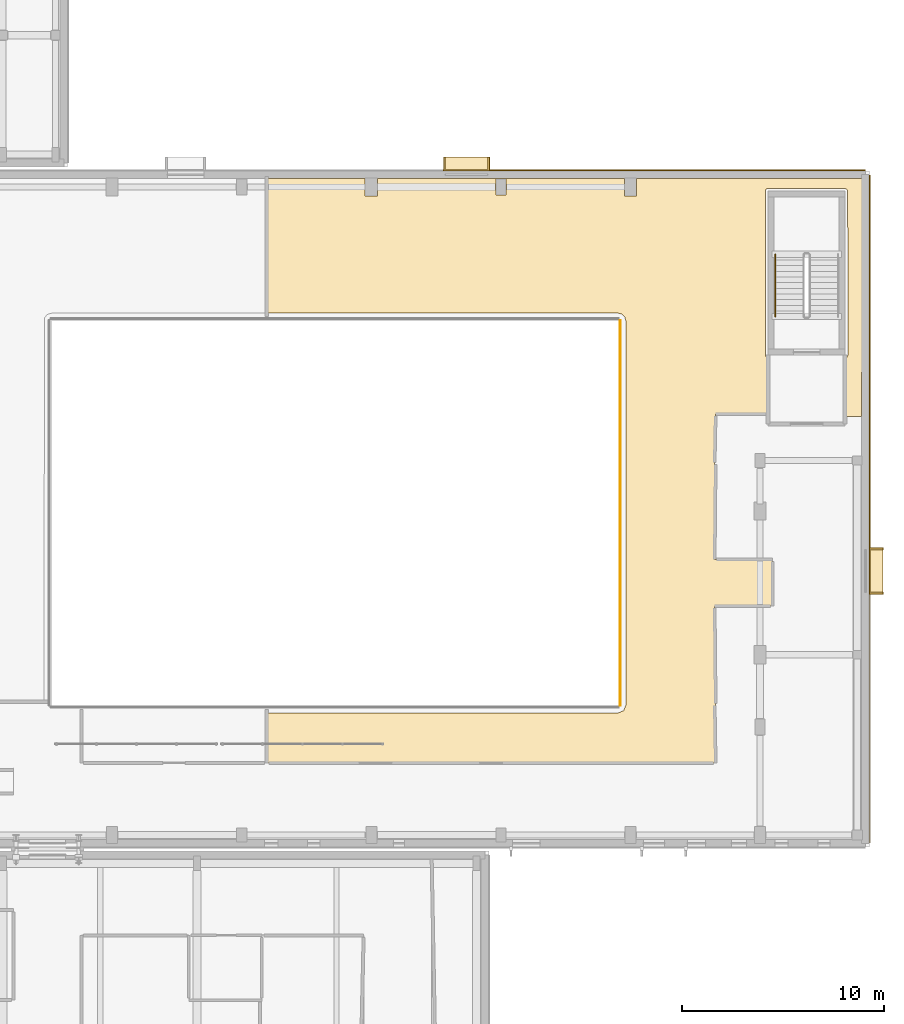
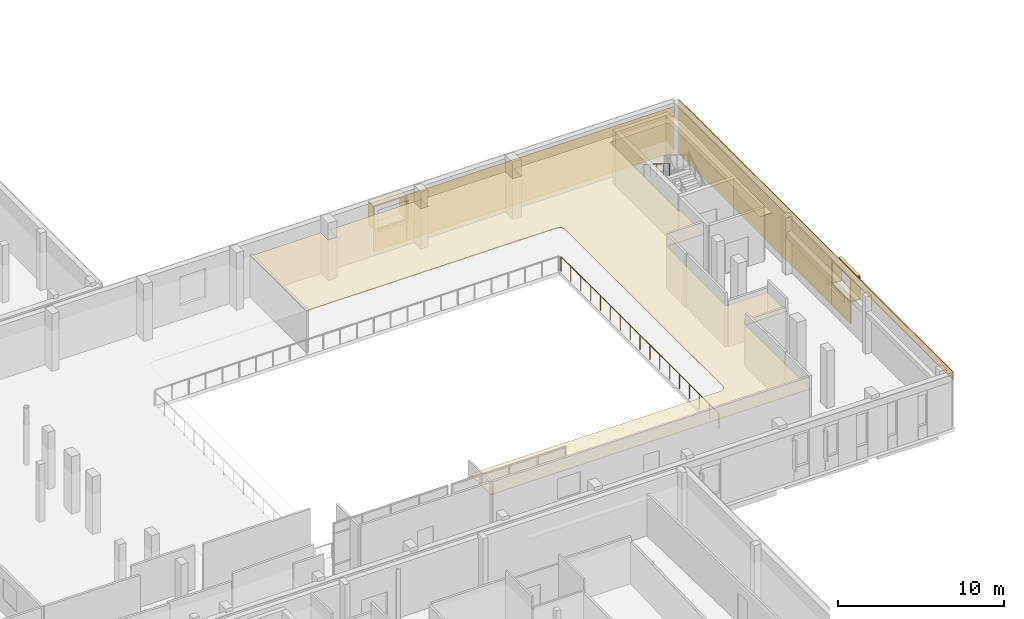
# One storey, part 83 of 84: 14 coverings, 2 railings.
"""IFC4 building model written with IfcOpenShell, lengths in metres."""

from ifc_helpers import new_model, si_unit, direction, frame, origin, origin_2d, place, context, subcontext, project, spatial, polyline, rectangle, circle, outline, extrude, material, layer, layer_set, type_object, element, save


model = new_model("IFC4")

# Units and contexts
model_context = context("Model", 3, precision=1e-05, world=origin(), true_north=direction((0.0, 1.0)))
body_context = subcontext(model_context, "Body", "Model", "MODEL_VIEW")
ifc_project = project(units=[si_unit("LENGTHUNIT", "METRE"), si_unit("AREAUNIT", "SQUARE_METRE"), si_unit("VOLUMEUNIT", "CUBIC_METRE"), si_unit("PLANEANGLEUNIT", "RADIAN"), si_unit("MASSUNIT", "GRAM", prefix="KILO")], contexts=[model_context])

# Site, building, storey
site_placement = place(None, origin())
site = spatial("IfcSite", under=ifc_project, at=site_placement, CompositionType="ELEMENT")
building_placement = place(site_placement, origin())
building = spatial("IfcBuilding", under=site, at=building_placement, Name="Mzevani Central Library", CompositionType="ELEMENT")
storey_placement = place(building_placement, frame((0.0, 0.0, 5.39990234375)))
storey = spatial("IfcBuildingStorey", under=building, at=storey_placement, Name="L01", CompositionType="ELEMENT", Elevation=5.39990234375)

# Railing
ifc_material_1 = material(Name="Brushed stainless steel rail", Category="steel")
railing_type_1 = type_object("IfcRailingType", Name="Interior Gallery and Stair Guard 1100", PredefinedType="BALUSTRADE", material=ifc_material_1)
railing_1_placement = place(storey_placement, frame((152.10009765625, 68.5, 0.0)))
element("IfcRailing", 1, at=railing_1_placement, inside=storey, type_object=railing_type_1, Name="L01 V1 Double-Height Void Guard 4", PredefinedType="BALUSTRADE", context=body_context, shape_type="SweptSolid", body=[
    extrude(circle(Radius=0.02392578125, at=origin_2d()), frame((0.0, 0.0, 1.076171875), z_axis=(0.0, -1.0, 0.0), x_axis=(1.0, 0.0, 0.0)), (0.0, 0.0, 1.0), 19.0),
    extrude(circle(Radius=0.02099609375, at=origin_2d()), origin(), (0.0, 0.0, 1.0), 1.052001953125),
    extrude(circle(Radius=0.02099609375, at=origin_2d()), frame((0.0, -1.1875, 0.0)), (0.0, 0.0, 1.0), 1.052001953125),
    extrude(circle(Radius=0.02099609375, at=origin_2d()), frame((0.0, -2.375, 0.0)), (0.0, 0.0, 1.0), 1.052001953125),
    extrude(circle(Radius=0.02099609375, at=origin_2d()), frame((0.0, -3.5625, 0.0)), (0.0, 0.0, 1.0), 1.052001953125),
    extrude(circle(Radius=0.02099609375, at=origin_2d()), frame((0.0, -4.75, 0.0)), (0.0, 0.0, 1.0), 1.052001953125),
    extrude(circle(Radius=0.02099609375, at=origin_2d()), frame((0.0, -5.9375, 0.0)), (0.0, 0.0, 1.0), 1.052001953125),
    extrude(circle(Radius=0.02099609375, at=origin_2d()), frame((0.0, -7.125, 0.0)), (0.0, 0.0, 1.0), 1.052001953125),
    extrude(circle(Radius=0.02099609375, at=origin_2d()), frame((0.0, -8.3125, 0.0)), (0.0, 0.0, 1.0), 1.052001953125),
    extrude(circle(Radius=0.02099609375, at=origin_2d()), frame((0.0, -9.5, 0.0)), (0.0, 0.0, 1.0), 1.052001953125),
    extrude(circle(Radius=0.02099609375, at=origin_2d()), frame((0.0, -10.6875, 0.0)), (0.0, 0.0, 1.0), 1.052001953125),
    extrude(circle(Radius=0.02099609375, at=origin_2d()), frame((0.0, -11.875, 0.0)), (0.0, 0.0, 1.0), 1.052001953125),
    extrude(circle(Radius=0.02099609375, at=origin_2d()), frame((0.0, -13.0625, 0.0)), (0.0, 0.0, 1.0), 1.052001953125),
    extrude(circle(Radius=0.02099609375, at=origin_2d()), frame((0.0, -14.25, 0.0)), (0.0, 0.0, 1.0), 1.052001953125),
    extrude(circle(Radius=0.02099609375, at=origin_2d()), frame((0.0, -15.4375, 0.0)), (0.0, 0.0, 1.0), 1.052001953125),
    extrude(circle(Radius=0.02099609375, at=origin_2d()), frame((0.0, -16.625, 0.0)), (0.0, 0.0, 1.0), 1.052001953125),
    extrude(circle(Radius=0.02099609375, at=origin_2d()), frame((0.0, -17.8125, 0.0)), (0.0, 0.0, 1.0), 1.052001953125),
    extrude(circle(Radius=0.02099609375, at=origin_2d()), frame((0.0, -19.0, 0.0)), (0.0, 0.0, 1.0), 1.052001953125),
])

# Coverings
ifc_material_2 = material(Name="Limestone ashlar cladding", Category="masonry")
ifc_layer_1 = layer(ifc_material_2, 0.050048828125, Name="Limestone Ashlar Spandrel Cladding")
ifc_layer_set_1 = layer_set([ifc_layer_1], Name="Limestone ashlar cladding")
covering_type_1 = type_object("IfcCoveringType", Name="Limestone Ashlar Spandrel Cladding", PredefinedType="CLADDING", material=ifc_layer_set_1)
for number, where, z_axis, x_axis, name in (
    (2, (144.508056640625, 76.238037109375, 3.25), (0.0, 0.0, 1.0), (1.0, 0.0, 0.0), "L01 Deep Window Reveal HD (REV4-0079)"),
    (3, (144.508056640625, 76.238037109375, 1.56005859375), (0.0, 0.0, 1.0), (1.0, 0.0, 0.0), "L01 Deep Window Reveal SL (REV4-0079)"),
):
    element("IfcCovering", number, at=place(storey_placement, frame(where, z_axis=z_axis, x_axis=x_axis)), inside=storey, type_object=covering_type_1, Name=name, PredefinedType="CLADDING", context=body_context, shape_type="SweptSolid", body=[
        extrude(rectangle(XDim=2.280029296875, YDim=0.679931640625, at=origin_2d()), origin(), (0.0, 0.0, 1.0), 0.090087890625),
    ])
for number, where, z_axis, x_axis, name in (
    (4, (143.4130859375, 76.238037109375, 1.650146484375), (0.0, 0.0, 1.0), (1.0, 0.0, 0.0), "L01 Deep Window Reveal JL (REV4-0079)"),
    (5, (145.60302734375, 76.238037109375, 1.650146484375), (0.0, 0.0, 1.0), (1.0, 0.0, 0.0), "L01 Deep Window Reveal JR (REV4-0079)"),
):
    element("IfcCovering", number, at=place(storey_placement, frame(where, z_axis=z_axis, x_axis=x_axis)), inside=storey, type_object=covering_type_1, Name=name, PredefinedType="CLADDING", context=body_context, shape_type="SweptSolid", body=[
        extrude(rectangle(XDim=0.090087890625, YDim=0.679931640625, at=origin_2d()), origin(), (0.0, 0.0, 1.0), 1.60009765625),
    ])
covering_1_placement = place(storey_placement, frame((144.508056640625, 75.924072265625, 0.0), z_axis=(0.0, 0.0, 1.0), x_axis=(1.0, 0.0, 0.0)))
element("IfcCovering", 6, at=covering_1_placement, inside=storey, type_object=covering_type_1, Name="L01 Warm-White Sill Cladding 4 (EW4-V1-L01-0009)", PredefinedType="CLADDING", context=body_context, shape_type="SweptSolid", body=[
    extrude(rectangle(XDim=2.300048828125, YDim=0.050048828125, at=origin_2d()), origin(), (0.0, 0.0, 1.0), 1.550048828125),
])
covering_2_placement = place(storey_placement, frame((154.93408203125, 75.924072265625, 0.0), z_axis=(0.0, 0.0, 1.0), x_axis=(1.0, 0.0, 0.0)))
element("IfcCovering", 7, at=covering_2_placement, inside=storey, type_object=covering_type_1, Name="L01 Warm-White Facade Pier 5 (EW4-V1-L01-0009)", PredefinedType="CLADDING", context=body_context, shape_type="SweptSolid", body=[
    extrude(rectangle(XDim=18.511962890625, YDim=0.050048828125, at=origin_2d()), origin(), (0.0, 0.0, 1.0), 3.35009765625),
])
for number, where, z_axis, x_axis, name in (
    (8, (164.738037109375, 56.1396484375, 3.25), (0.0, 0.0, 1.0), (0.0, -1.0, 0.0), "L01 Deep Window Reveal HD (REV4-0080)"),
    (9, (164.738037109375, 56.1396484375, 1.56005859375), (0.0, 0.0, 1.0), (0.0, -1.0, 0.0), "L01 Deep Window Reveal SL (REV4-0080)"),
):
    element("IfcCovering", number, at=place(storey_placement, frame(where, z_axis=z_axis, x_axis=x_axis)), inside=storey, type_object=covering_type_1, Name=name, PredefinedType="CLADDING", context=body_context, shape_type="SweptSolid", body=[
        extrude(rectangle(XDim=2.280029296875, YDim=0.679931640625, at=origin_2d()), origin(), (0.0, 0.0, 1.0), 0.090087890625),
    ])
for number, where, z_axis, x_axis, name in (
    (10, (164.738037109375, 57.234619140625, 1.650146484375), (0.0, 0.0, 1.0), (0.0, -1.0, 0.0), "L01 Deep Window Reveal JL (REV4-0080)"),
    (11, (164.738037109375, 55.044677734375, 1.650146484375), (0.0, 0.0, 1.0), (0.0, -1.0, 0.0), "L01 Deep Window Reveal JR (REV4-0080)"),
):
    element("IfcCovering", number, at=place(storey_placement, frame(where, z_axis=z_axis, x_axis=x_axis)), inside=storey, type_object=covering_type_1, Name=name, PredefinedType="CLADDING", context=body_context, shape_type="SweptSolid", body=[
        extrude(rectangle(XDim=0.090087890625, YDim=0.679931640625, at=origin_2d()), origin(), (0.0, 0.0, 1.0), 1.60009765625),
    ])
covering_3_placement = place(storey_placement, frame((164.424072265625, 59.199951171875, 3.35009765625), z_axis=(0.0, 0.0, 1.0), x_axis=(0.0, -1.0, 0.0)))
element("IfcCovering", 12, at=covering_3_placement, inside=storey, type_object=covering_type_1, Name="L01 Warm-White Facade Spandrel (EW4-V1-L01-0010)", PredefinedType="CLADDING", context=body_context, shape_type="SweptSolid", body=[
    extrude(rectangle(XDim=32.97998046875, YDim=0.050048828125, at=origin_2d()), origin(), (0.0, 0.0, 1.0), 0.590087890625),
])
covering_4_placement = place(storey_placement, frame((164.424072265625, 66.499755859375, 0.0), z_axis=(0.0, 0.0, 1.0), x_axis=(0.0, -1.0, 0.0)))
element("IfcCovering", 13, at=covering_4_placement, inside=storey, type_object=covering_type_1, Name="L01 Warm-White Facade Pier 1 (EW4-V1-L01-0010)", PredefinedType="CLADDING", context=body_context, shape_type="SweptSolid", body=[
    extrude(rectangle(XDim=18.38037109375, YDim=0.050048828125, at=origin_2d()), origin(), (0.0, 0.0, 1.0), 3.35009765625),
])
covering_5_placement = place(storey_placement, frame((164.424072265625, 56.1396484375, 0.0), z_axis=(0.0, 0.0, 1.0), x_axis=(0.0, -1.0, 0.0)))
element("IfcCovering", 14, at=covering_5_placement, inside=storey, type_object=covering_type_1, Name="L01 Warm-White Sill Cladding 2 (EW4-V1-L01-0010)", PredefinedType="CLADDING", context=body_context, shape_type="SweptSolid", body=[
    extrude(rectangle(XDim=2.300048828125, YDim=0.050048828125, at=origin_2d()), origin(), (0.0, 0.0, 1.0), 1.550048828125),
])
ifc_material_3 = material(Name="Mineral wool acoustic ceiling")
ifc_layer_2 = layer(ifc_material_3, 0.0400390625, Name="Perforated Timber Acoustic Ceiling")
ifc_layer_set_2 = layer_set([ifc_layer_2], Name="Mineral wool acoustic ceiling")
covering_type_2 = type_object("IfcCoveringType", Name="Perforated Timber Acoustic Ceiling", PredefinedType="CEILING", material=ifc_layer_set_2)
covering_6_placement = place(storey_placement, frame((0.0, 0.0, 2.9501953125)))
element("IfcCovering", 15, at=covering_6_placement, inside=storey, type_object=covering_type_2, Name="L01 Collaborative Group Study Room A 4 Acoustic Ceiling", PredefinedType="CEILING", context=body_context, shape_type="SweptSolid", body=[
    extrude(outline(polyline([(164.030029296875, 75.52099609375), (164.02099609375, 63.764892578125), (163.18994140625, 63.77392578125), (163.18994140625, 66.65087890625), (163.29833984375, 66.70166015625), (163.340087890625, 66.802001953125), (163.32861328125, 74.951904296875), (163.197021484375, 75.0400390625), (159.401611328125, 75.0400390625), (159.3115234375, 75.0078125), (159.262939453125, 74.926513671875), (159.260009765625, 66.802001953125), (159.301513671875, 66.70166015625), (159.409912109375, 66.65087890625), (159.409912109375, 63.89892578125), (156.81005859375, 63.889892578125), (156.81005859375, 61.5), (156.760009765625, 61.489990234375), (156.760009765625, 56.7099609375), (159.626220703125, 56.707763671875), (159.6298828125, 54.39892578125), (156.760009765625, 54.389892578125), (156.80712890625, 46.65283203125), (134.6279296875, 46.65283203125), (134.633056640625, 49.1298828125), (151.998046875, 49.1298828125), (152.260986328125, 49.239013671875), (152.3701171875, 49.501953125), (152.3701171875, 68.49853515625), (152.30712890625, 68.70556640625), (152.17431640625, 68.825927734375), (151.998779296875, 68.8701171875), (134.631103515625, 68.870849609375), (134.6279296875, 75.527099609375), (139.5, 75.530029296875), (139.5, 74.64990234375), (140.10009765625, 74.64990234375), (140.10009765625, 75.530029296875), (152.300048828125, 75.530029296875), (152.300048828125, 74.64990234375), (152.89990234375, 74.64990234375), (152.89990234375, 75.530029296875), (164.030029296875, 75.52099609375)]), holes=[polyline([(145.949951171875, 75.5), (145.949951171875, 74.699951171875), (146.449951171875, 74.699951171875), (146.449951171875, 75.5), (145.949951171875, 75.5)])]), origin(), (0.0, 0.0, 1.0), 0.039794921875),
])

# Railing
railing_type_2 = type_object("IfcRailingType", Name="Stair Wall Handrail 920", PredefinedType="HANDRAIL", material=ifc_material_1)
railing_2_placement = place(storey_placement, frame((159.75, 71.780029296875, 2.275146484375)))
element("IfcRailing", 16, at=railing_2_placement, inside=storey, type_object=railing_type_2, Name="L01 ST-02 stair handrail 2", PredefinedType="HANDRAIL", context=body_context, shape_type="SweptSolid", body=[
    extrude(circle(Radius=0.02392578125, at=origin_2d()), frame((0.0, 0.0, 0.89599609375), z_axis=(0.0, -0.847998304005, 0.529998940003), x_axis=(1.0, 0.0, 0.0)), (0.0, 0.0, 1.0), 3.632080078125),
    extrude(circle(Radius=0.02099609375, at=origin_2d()), origin(), (0.0, 0.0, 1.0), 0.871826171875),
    extrude(circle(Radius=0.02099609375, at=origin_2d()), frame((0.0, -0.77001953125, 0.481201171875)), (0.0, 0.0, 1.0), 0.871826171875),
    extrude(circle(Radius=0.02099609375, at=origin_2d()), frame((0.0, -1.5400390625, 0.96240234375)), (0.0, 0.0, 1.0), 0.871826171875),
    extrude(circle(Radius=0.02099609375, at=origin_2d()), frame((0.0, -2.31005859375, 1.44384765625)), (0.0, 0.0, 1.0), 0.871826171875),
    extrude(circle(Radius=0.02099609375, at=origin_2d()), frame((0.0, -3.080078125, 1.925048828125)), (0.0, 0.0, 1.0), 0.871826171875),
])

save(model, "model.ifc")
